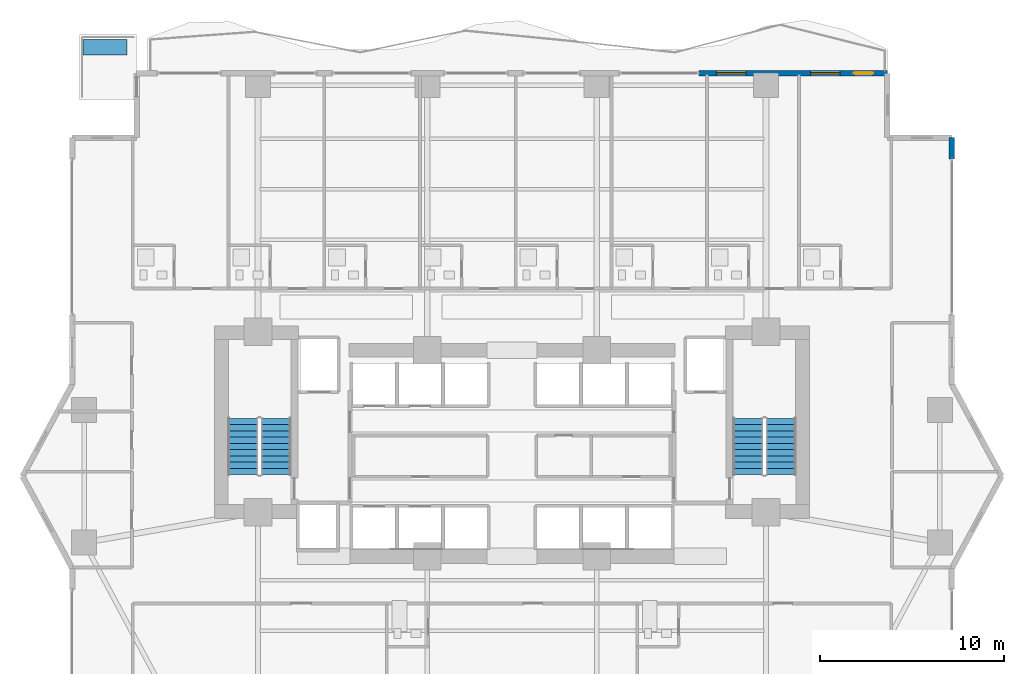
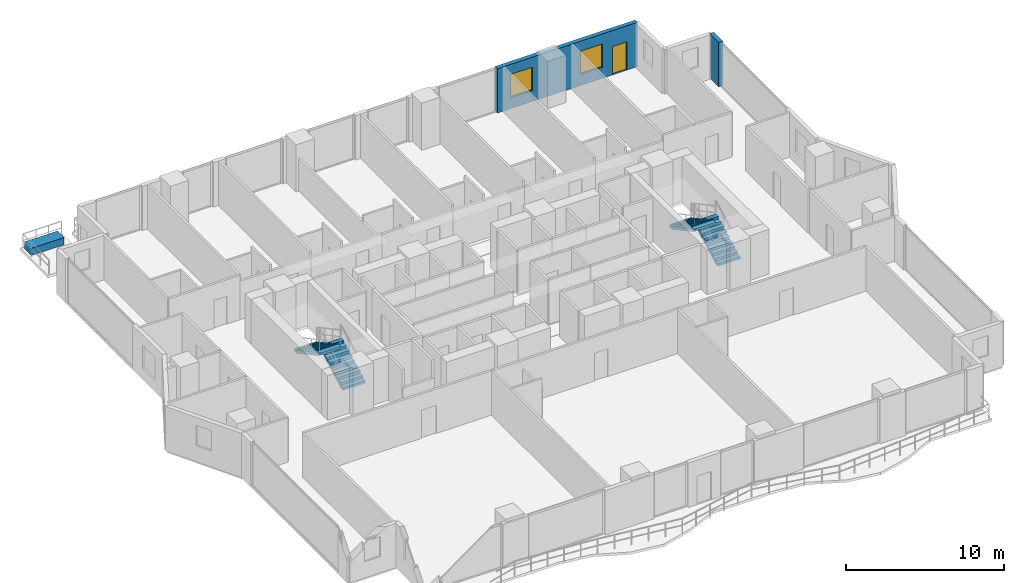
# One storey, part 25 of 29: 4 stair flights, 2 walls, 2 windows, 1 building element part, 1 door, 3 openings, 2 elements without a shape of their own.
"""IFC4 building model written with IfcOpenShell, lengths in metres."""

from ifc_helpers import new_model, si_unit, direction, frame, frame_2d, origin, origin_2d, place, context, subcontext, project, spatial, polyline, rectangle, outline, extrude, material, layer, layer_set, type_object, element, fill, aggregate, save


model = new_model("IFC4")

# Units and contexts
model_context = context("Model", 3, precision=1e-05, world=origin(), true_north=direction((0.0, 1.0)))
body_context = subcontext(model_context, "Body", "Model", "MODEL_VIEW")
ifc_project = project(units=[si_unit("LENGTHUNIT", "METRE"), si_unit("AREAUNIT", "SQUARE_METRE"), si_unit("VOLUMEUNIT", "CUBIC_METRE"), si_unit("PLANEANGLEUNIT", "RADIAN"), si_unit("MASSUNIT", "GRAM", prefix="KILO")], contexts=[model_context])

# Site, building, storey
site_placement = place(None, origin())
site = spatial("IfcSite", under=ifc_project, at=site_placement, CompositionType="ELEMENT")
building_placement = place(site_placement, origin())
building = spatial("IfcBuilding", under=site, at=building_placement, Name="Zuhayl Quay Hotel", CompositionType="ELEMENT")
storey_placement = place(building_placement, frame((0.0, 0.0, 106.60009765625)))
storey = spatial("IfcBuildingStorey", under=building, at=storey_placement, Name="L26", CompositionType="ELEMENT", Elevation=106.60009765625)

# Wall, openings, door, windows
ifc_material_1 = material(Name="Precast concrete C45/55", Category="concrete")
ifc_layer_1 = layer(ifc_material_1, 0.300048828125, Name="Precast concrete C45/55", Category="concrete")
ifc_layer_set_1 = layer_set([ifc_layer_1], Name="Precast concrete C45/55")
wall_type = type_object("IfcWallType", Name="WL_EXT_300", PredefinedType="STANDARD", material=ifc_layer_set_1)
wall_1_placement = place(storey_placement, frame((10.14990234375, 28.39990234375, 0.0), z_axis=(0.0, 0.0, 1.0), x_axis=(1.0, 0.0, 0.0)))
wall_1 = element("IfcWall", 1, at=wall_1_placement, inside=storey, type_object=wall_type, Name="L26 Exterior Precast Wall ENV_L26_N_EW7", PredefinedType="STANDARD", context=body_context, shape_type="SweptSolid", body=[
    extrude(rectangle(XDim=10.25, YDim=0.300048828125, at=frame_2d((5.125, 0.0))), origin(), (0.0, 0.0, 1.0), 3.429931640625),
])
opening_1_placement = place(wall_1_placement, frame((8.425048828125, 0.0, 0.0)))
opening_1 = element("IfcOpeningElement", 2, at=opening_1_placement, cuts=wall_1, Name="Opening DG1", PredefinedType="OPENING", context=body_context, shape_type="SweptSolid", body=[
    extrude(rectangle(XDim=1.050048828125, YDim=2.199951171875, at=frame_2d((0.52490234375, 1.10009765625))), frame((0.0, 0.159912109375, 0.0), z_axis=(0.0, -1.0, 0.0), x_axis=(1.0, 0.0, 0.0)), (0.0, 0.0, 1.0), 0.320068359375),
])
opening_2_placement = place(wall_1_placement, frame((0.9599609375, 0.0, 0.85009765625)))
opening_2 = element("IfcOpeningElement", 3, at=opening_2_placement, cuts=wall_1, Name="Opening W01", PredefinedType="OPENING", context=body_context, shape_type="SweptSolid", body=[
    extrude(rectangle(XDim=1.60009765625, YDim=1.800048828125, at=frame_2d((0.800048828125, 0.89990234375))), frame((0.0, 0.159912109375, 0.0), z_axis=(0.0, -1.0, 0.0), x_axis=(1.0, 0.0, 0.0)), (0.0, 0.0, 1.0), 0.320068359375),
])
opening_3_placement = place(wall_1_placement, frame((6.072509765625, 0.0, 0.85009765625)))
opening_3 = element("IfcOpeningElement", 4, at=opening_3_placement, cuts=wall_1, Name="Opening W01", PredefinedType="OPENING", context=body_context, shape_type="SweptSolid", body=[
    extrude(rectangle(XDim=1.60009765625, YDim=1.800048828125, at=frame_2d((0.800048828125, 0.89990234375))), frame((0.0, 0.159912109375, 0.0), z_axis=(0.0, -1.0, 0.0), x_axis=(1.0, 0.0, 0.0)), (0.0, 0.0, 1.0), 0.320068359375),
])
ifc_material_2 = material(Name="Anodised Aluminium and Dark Solar Glass", Category="aluminium")
door_type = type_object("IfcDoorType", Name="DR_EXT_TERR_1050", OperationType="NOTDEFINED", PredefinedType="DOOR", material=ifc_material_2)
door_placement = place(opening_1_placement, origin())
door = element("IfcDoor", 5, at=door_placement, inside=storey, type_object=door_type, Name="L26 North Rippling Balcony Door", OperationType="SINGLE_SWING_LEFT", OverallHeight=2.199951171875, OverallWidth=1.050048828125, PredefinedType="DOOR", context=body_context, shape_type="SweptSolid", body=[
    extrude(rectangle(XDim=1.050048828125, YDim=2.199951171875, at=frame_2d((0.52490234375, 1.10009765625))), frame((0.0, 0.02490234375, 0.0), z_axis=(0.0, -1.0, 0.0), x_axis=(1.0, 0.0, 0.0)), (0.0, 0.0, 1.0), 0.050048828125),
])
fill(opening_1, door)
ifc_material_3 = material(Name="Dark Ceramic-Fritted Solar Glass", Category="glass")
window_type = type_object("IfcWindowType", Name="WN_OPERABLE_1600", PartitioningType="DOUBLE_PANEL_VERTICAL", PredefinedType="WINDOW", material=ifc_material_3)
window_1_placement = place(opening_2_placement, origin())
window_1 = element("IfcWindow", 6, at=window_1_placement, inside=storey, type_object=window_type, Name="L26 Operable Facade Window 7-1", OverallHeight=1.800048828125, OverallWidth=1.60009765625, PartitioningType="SINGLE_PANEL", PredefinedType="WINDOW", context=body_context, shape_type="SweptSolid", body=[
    extrude(rectangle(XDim=1.60009765625, YDim=1.800048828125, at=frame_2d((0.800048828125, 0.89990234375))), frame((0.0, 0.030029296875, 0.0), z_axis=(0.0, -1.0, 0.0), x_axis=(1.0, 0.0, 0.0)), (0.0, 0.0, 1.0), 0.06005859375),
])
fill(opening_2, window_1)
window_2_placement = place(opening_3_placement, origin())
window_2 = element("IfcWindow", 7, at=window_2_placement, inside=storey, type_object=window_type, Name="L26 Operable Facade Window 7-2", OverallHeight=1.800048828125, OverallWidth=1.60009765625, PartitioningType="SINGLE_PANEL", PredefinedType="WINDOW", context=body_context, shape_type="SweptSolid", body=[
    extrude(rectangle(XDim=1.60009765625, YDim=1.800048828125, at=frame_2d((0.800048828125, 0.89990234375))), frame((0.0, 0.030029296875, 0.0), z_axis=(0.0, -1.0, 0.0), x_axis=(1.0, 0.0, 0.0)), (0.0, 0.0, 1.0), 0.06005859375),
])
fill(opening_3, window_2)

# Wall
wall_2_placement = place(storey_placement, frame((23.89990234375, 24.89990234375, 0.0), z_axis=(0.0, 0.0, 1.0), x_axis=(0.0, -1.0, 0.0)))
element("IfcWall", 8, at=wall_2_placement, inside=storey, type_object=wall_type, Name="L26 Exterior Precast Wall ENV_L26_E11_EW1", PredefinedType="STANDARD", context=body_context, shape_type="SweptSolid", body=[
    extrude(rectangle(XDim=1.14990234375, YDim=0.300048828125, at=frame_2d((0.574951171875, 0.0))), origin(), (0.0, 0.0, 1.0), 3.429931640625),
])

# Stair, stair flights
ifc_material_4 = material(Name="Concrete C45/55", Category="concrete")
stair_type = type_object("IfcStairType", Name="ST_DOGLEG_TOWER", PredefinedType="HALF_TURN_STAIR", material=ifc_material_4)
stair_1_placement = place(storey_placement, origin())
stair_1 = element("IfcStair", 9, at=stair_1_placement, inside=storey, type_object=stair_type, Name="L26 Smokeproof Exit Stair ST1", PredefinedType="HALF_TURN_STAIR")
ifc_layer_2 = layer(ifc_material_4, 0.159912109375, Name="Concrete C45/55", Category="concrete")
ifc_layer_set_2 = layer_set([ifc_layer_2], Name="Concrete C45/55")
stair_flight_type = type_object("IfcStairFlightType", Name="SF_CONC_164", PredefinedType="STRAIGHT", material=ifc_layer_set_2)
stair_flight_1_placement = place(storey_placement, frame((-12.820068359375, 6.590087890625, 0.0), z_axis=(0.0, 0.0, 1.0), x_axis=(0.0, 1.0, 0.0)))
stair_flight_1 = element("IfcStairFlight", 10, at=stair_flight_1_placement, type_object=stair_flight_type, Name="ST1 flight 1", NumberOfRisers=10, NumberOfTreads=9, PredefinedType="STRAIGHT", RiserHeight=0.1825, TreadLength=0.34, context=body_context, shape_type="SweptSolid", body=[
    extrude(outline(polyline([(0.0, 0.0), (0.0, 0.1826171875), (0.340087890625, 0.1826171875), (0.340087890625, 0.364990234375), (0.679931640625, 0.364990234375), (0.679931640625, 0.547607421875), (1.02001953125, 0.547607421875), (1.02001953125, 0.72998046875), (1.360107421875, 0.72998046875), (1.360107421875, 0.91259765625), (1.699951171875, 0.91259765625), (1.699951171875, 1.094970703125), (2.0400390625, 1.094970703125), (2.0400390625, 1.277587890625), (2.3798828125, 1.277587890625), (2.3798828125, 1.4599609375), (2.719970703125, 1.4599609375), (2.719970703125, 1.642578125), (3.06005859375, 1.642578125), (3.06005859375, 1.824951171875), (3.06005859375, 1.472412109375), (0.31689453125, 0.0), (0.0, 0.0)])), frame((0.0, 0.81982421875, 0.0), z_axis=(0.0, -1.0, 0.0), x_axis=(1.0, 0.0, 0.0)), (0.0, 0.0, 1.0), 1.639892578125),
])
stair_flight_2_placement = place(storey_placement, frame((-14.610107421875, 9.64990234375, 1.824951171875), z_axis=(0.0, 0.0, 1.0), x_axis=(0.0, -1.0, 0.0)))
stair_flight_2 = element("IfcStairFlight", 11, at=stair_flight_2_placement, type_object=stair_flight_type, Name="ST1 flight 2", NumberOfRisers=10, NumberOfTreads=9, PredefinedType="STRAIGHT", RiserHeight=0.1825, TreadLength=0.34, context=body_context, shape_type="SweptSolid", body=[
    extrude(outline(polyline([(0.0, 0.0), (0.0, 0.1826171875), (0.340087890625, 0.1826171875), (0.340087890625, 0.364990234375), (0.679931640625, 0.364990234375), (0.679931640625, 0.547607421875), (1.02001953125, 0.547607421875), (1.02001953125, 0.72998046875), (1.360107421875, 0.72998046875), (1.360107421875, 0.91259765625), (1.699951171875, 0.91259765625), (1.699951171875, 1.094970703125), (2.0400390625, 1.094970703125), (2.0400390625, 1.277587890625), (2.3798828125, 1.277587890625), (2.3798828125, 1.4599609375), (2.719970703125, 1.4599609375), (2.719970703125, 1.642578125), (3.06005859375, 1.642578125), (3.06005859375, 1.824951171875), (3.06005859375, 1.472412109375), (0.31689453125, 0.0), (0.0, 0.0)])), frame((0.0, 0.81982421875, 0.0), z_axis=(0.0, -1.0, 0.0), x_axis=(1.0, 0.0, 0.0)), (0.0, 0.0, 1.0), 1.639892578125),
])
aggregate(stair_1, [stair_flight_1, stair_flight_2])

stair_2_placement = place(storey_placement, origin())
stair_2 = element("IfcStair", 12, at=stair_2_placement, inside=storey, type_object=stair_type, Name="L26 Smokeproof Exit Stair ST2", PredefinedType="HALF_TURN_STAIR")
stair_flight_3_placement = place(storey_placement, frame((14.610107421875, 6.590087890625, 0.0), z_axis=(0.0, 0.0, 1.0), x_axis=(0.0, 1.0, 0.0)))
stair_flight_3 = element("IfcStairFlight", 13, at=stair_flight_3_placement, type_object=stair_flight_type, Name="ST2 flight 1", NumberOfRisers=10, NumberOfTreads=9, PredefinedType="STRAIGHT", RiserHeight=0.1825, TreadLength=0.34, context=body_context, shape_type="SweptSolid", body=[
    extrude(outline(polyline([(0.0, 0.0), (0.0, 0.1826171875), (0.340087890625, 0.1826171875), (0.340087890625, 0.364990234375), (0.679931640625, 0.364990234375), (0.679931640625, 0.547607421875), (1.02001953125, 0.547607421875), (1.02001953125, 0.72998046875), (1.360107421875, 0.72998046875), (1.360107421875, 0.91259765625), (1.699951171875, 0.91259765625), (1.699951171875, 1.094970703125), (2.0400390625, 1.094970703125), (2.0400390625, 1.277587890625), (2.3798828125, 1.277587890625), (2.3798828125, 1.4599609375), (2.719970703125, 1.4599609375), (2.719970703125, 1.642578125), (3.06005859375, 1.642578125), (3.06005859375, 1.824951171875), (3.06005859375, 1.472412109375), (0.31689453125, 0.0), (0.0, 0.0)])), frame((0.0, 0.81982421875, 0.0), z_axis=(0.0, -1.0, 0.0), x_axis=(1.0, 0.0, 0.0)), (0.0, 0.0, 1.0), 1.639892578125),
])
stair_flight_4_placement = place(storey_placement, frame((12.820068359375, 9.64990234375, 1.824951171875), z_axis=(0.0, 0.0, 1.0), x_axis=(0.0, -1.0, 0.0)))
stair_flight_4 = element("IfcStairFlight", 14, at=stair_flight_4_placement, type_object=stair_flight_type, Name="ST2 flight 2", NumberOfRisers=10, NumberOfTreads=9, PredefinedType="STRAIGHT", RiserHeight=0.1825, TreadLength=0.34, context=body_context, shape_type="SweptSolid", body=[
    extrude(outline(polyline([(0.0, 0.0), (0.0, 0.1826171875), (0.340087890625, 0.1826171875), (0.340087890625, 0.364990234375), (0.679931640625, 0.364990234375), (0.679931640625, 0.547607421875), (1.02001953125, 0.547607421875), (1.02001953125, 0.72998046875), (1.360107421875, 0.72998046875), (1.360107421875, 0.91259765625), (1.699951171875, 0.91259765625), (1.699951171875, 1.094970703125), (2.0400390625, 1.094970703125), (2.0400390625, 1.277587890625), (2.3798828125, 1.277587890625), (2.3798828125, 1.4599609375), (2.719970703125, 1.4599609375), (2.719970703125, 1.642578125), (3.06005859375, 1.642578125), (3.06005859375, 1.824951171875), (3.06005859375, 1.472412109375), (0.31689453125, 0.0), (0.0, 0.0)])), frame((0.0, 0.81982421875, 0.0), z_axis=(0.0, -1.0, 0.0), x_axis=(1.0, 0.0, 0.0)), (0.0, 0.0, 1.0), 1.639892578125),
])
aggregate(stair_2, [stair_flight_3, stair_flight_4])

# Building element part
ifc_layer_3 = layer(ifc_material_1, 0.550048828125, Name="Precast concrete C45/55", Category="concrete")
ifc_layer_set_3 = layer_set([ifc_layer_3], Name="Precast concrete C45/55")
building_element_part_type = type_object("IfcBuildingElementPartType", Name="PT_PLANTER_KERB", PredefinedType="PRECASTPANEL", material=ifc_layer_set_3)
building_element_part_placement = place(storey_placement, frame((-22.110107421875, 29.81005859375, 0.0), z_axis=(0.0, 0.0, 1.0), x_axis=(1.0, 0.0, 0.0)))
element("IfcBuildingElementPart", 15, at=building_element_part_placement, inside=storey, type_object=building_element_part_type, Name="L26 Spiral Sky-Terrace Planter Box NW", PredefinedType="PRECASTPANEL", context=body_context, shape_type="SweptSolid", body=[
    extrude(rectangle(XDim=2.39990234375, YDim=0.85009765625, at=origin_2d()), origin(), (0.0, 0.0, 1.0), 0.550048828125),
])

save(model, "model.ifc")
